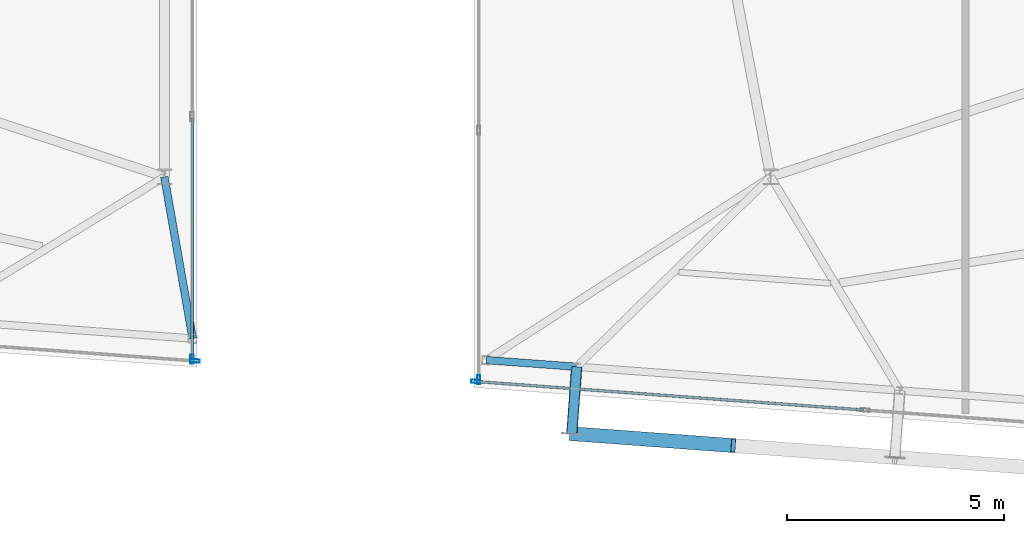
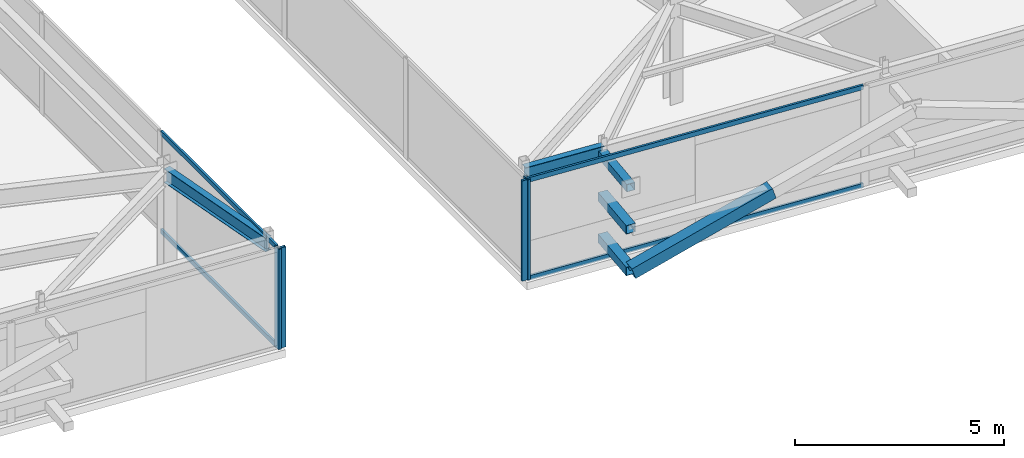
# One storey, part 11 of 39: 12 members, 2 beams, 4 elements without a shape of their own.
"""IFC4 building model written with IfcOpenShell, lengths in metres."""

from ifc_helpers import new_model, si_unit, direction, frame, origin, origin_2d, place, context, subcontext, project, spatial, hollow_rectangle, i_section, extrude, source, transform, mapped, material, layer, layer_set, material_profile, profile_set, type_object, element, aggregate, save


model = new_model("IFC4")

# Units and contexts
model_context = context("Model", 3, precision=1e-05, world=origin(), true_north=direction((0.0, 1.0)))
body_context = subcontext(model_context, "Body", "Model", "MODEL_VIEW")
ifc_project = project(units=[si_unit("LENGTHUNIT", "METRE"), si_unit("AREAUNIT", "SQUARE_METRE"), si_unit("VOLUMEUNIT", "CUBIC_METRE"), si_unit("PLANEANGLEUNIT", "RADIAN"), si_unit("MASSUNIT", "GRAM", prefix="KILO")], contexts=[model_context])

# Site, building, storey
site_placement = place(None, origin())
site = spatial("IfcSite", under=ifc_project, at=site_placement, CompositionType="ELEMENT")
building_placement = place(site_placement, origin())
building = spatial("IfcBuilding", under=site, at=building_placement, Name="Taldren Reach Tower", CompositionType="ELEMENT")
storey_placement = place(building_placement, frame((0.0, 0.0, 230.300048828125)))
storey = spatial("IfcBuildingStorey", under=building, at=storey_placement, Name="L70", CompositionType="ELEMENT", Elevation=230.300048828125)

# Members
ifc_material_1 = material(Name="Steel Gr 350 (C350L0)", Category="steel")
ifc_material_profile_1 = material_profile(ifc_material_1, hollow_rectangle(XDim=0.25, YDim=0.25, WallThickness=0.010009765625, at=origin_2d()), Name="250x250x10.0SHS")
ifc_profile_set_1 = profile_set([ifc_material_profile_1], Name="Steel Gr 350 (C350L0)")
member_type_1 = type_object("IfcMemberType", Name="MB-POST250", PredefinedType="POST", material=ifc_profile_set_1)
shared_shape_1 = source(origin(), body_context, "Body", "SweptSolid", [
    extrude(hollow_rectangle(XDim=0.25, YDim=0.25, WallThickness=0.010009765625, at=origin_2d()), origin(), (0.0, 0.0, 1.0), 1.550048828125),
])
for number, where, z_axis, x_axis, name in (
    (1, (37.5205078125, 4.81689453125, 0.219970703125), (-0.07323929162, -0.997314396849, 0.0), (0.997314396849, -0.07323929162, 0.0), "Exoskeleton base diaphragm tie strut B5-S4 L70"),
    (2, (37.5205078125, 4.81689453125, 1.43505859375), (-0.07323929162, -0.997314396849, 0.0), (0.997314396849, -0.07323929162, 0.0), "Exoskeleton mid-tier diaphragm tie B5-S4 L70"),
):
    element("IfcMember", number, at=place(storey_placement, frame(where, z_axis=z_axis, x_axis=x_axis)), inside=storey, type_object=member_type_1, Name=name, PredefinedType="POST", context=body_context, shape_type="MappedRepresentation", body=[
        mapped(shared_shape_1, transform((0.0, 0.0, 0.0), scale=1.0)),
    ])
ifc_material_2 = material(Name="Steel Gr 450 (C450L0)", Category="steel")
ifc_material_profile_2 = material_profile(ifc_material_2, hollow_rectangle(XDim=0.219970703125, YDim=0.219970703125, WallThickness=0.00830078125, at=origin_2d()), Name="220x220x8.2SHS")
ifc_profile_set_2 = profile_set([ifc_material_profile_2], Name="Steel Gr 450 (C450L0)")
member_type_2 = type_object("IfcMemberType", Name="MB-TIE219", PredefinedType="STRUT", material=ifc_profile_set_2)
shared_shape_2 = source(origin(), body_context, "Body", "SweptSolid", [
    extrude(hollow_rectangle(XDim=0.219970703125, YDim=0.219970703125, WallThickness=0.00830078125, at=origin_2d()), origin(), (0.0, 0.0, 1.0), 1.550048828125),
])
member_1_placement = place(storey_placement, frame((37.5205078125, 4.81689453125, 2.64990234375), z_axis=(-0.07323929162, -0.997314396849, 0.0), x_axis=(0.997314396849, -0.07323929162, 0.0)))
element("IfcMember", 3, at=member_1_placement, inside=storey, type_object=member_type_2, Name="Exoskeleton diaphragm tie strut B5-S4 L70", PredefinedType="STRUT", context=body_context, shape_type="MappedRepresentation", body=[
    mapped(shared_shape_2, transform((0.0, 0.0, 0.0), scale=1.0)),
])

# Beams
ifc_material_3 = material(Name="Steel Gr 350 (350PLUS)", Category="steel")
ifc_material_profile_3 = material_profile(ifc_material_3, i_section(OverallWidth=0.172119140625, OverallDepth=0.35888671875, WebThickness=0.008056640625, FlangeThickness=0.012939453125, at=origin_2d()), Name="360UB56.7")
ifc_profile_set_3 = profile_set([ifc_material_profile_3], Name="Steel Gr 350 (350PLUS)")
beam_type_1 = type_object("IfcBeamType", Name="SP-UB360", PredefinedType="SPANDREL", material=ifc_profile_set_3)
shared_shape_3 = source(origin(), body_context, "Body", "SweptSolid", [
    extrude(i_section(OverallWidth=0.172119140625, OverallDepth=0.35888671875, WebThickness=0.008056640625, FlangeThickness=0.012939453125, at=origin_2d()), origin(), (0.0, 0.0, 1.0), 2.090087890625),
])
beam_1_placement = place(storey_placement, frame((35.43603515625, 4.9697265625, 2.75048828125), z_axis=(0.997322930253, -0.073122997697, 0.0), x_axis=(0.073122997697, 0.997322930253, 0.0)))
element("IfcBeam", 4, at=beam_1_placement, inside=storey, type_object=beam_type_1, Name="Perimeter spandrel B5 PJ2-S4 L70", PredefinedType="SPANDREL", context=body_context, shape_type="MappedRepresentation", body=[
    mapped(shared_shape_3, transform((0.0, 0.0, 0.0), scale=1.0)),
])
ifc_material_profile_4 = material_profile(ifc_material_3, i_section(OverallWidth=0.177978515625, OverallDepth=0.406005859375, WebThickness=0.0078125, FlangeThickness=0.0126953125, at=origin_2d()), Name="410UB59.7")
ifc_profile_set_4 = profile_set([ifc_material_profile_4], Name="Steel Gr 350 (350PLUS)")
beam_type_2 = type_object("IfcBeamType", Name="BM-UB410", PredefinedType="BEAM", material=ifc_profile_set_4)
shared_shape_4 = source(origin(), body_context, "Body", "SweptSolid", [
    extrude(i_section(OverallWidth=0.177978515625, OverallDepth=0.406005859375, WebThickness=0.0078125, FlangeThickness=0.0126953125, at=origin_2d()), origin(), (0.0, 0.0, 1.0), 3.7890625),
])
beam_2_placement = place(storey_placement, frame((28.0, 9.199951171875, 2.72705078125), z_axis=(0.172678846321, -0.984978180486, 0.0), x_axis=(0.984978180486, 0.172678846321, 0.0)))
element("IfcBeam", 5, at=beam_2_placement, inside=storey, type_object=beam_type_2, Name="Primary floor girder B5-PJ1 L70", PredefinedType="BEAM", context=body_context, shape_type="MappedRepresentation", body=[
    mapped(shared_shape_4, transform((0.0, 0.0, 0.0), scale=1.0)),
])

# Member
ifc_material_profile_5 = material_profile(ifc_material_2, hollow_rectangle(XDim=0.324951171875, YDim=0.324951171875, WallThickness=0.0126953125, at=origin_2d()), Name="325x325x12.7SHS")
ifc_profile_set_5 = profile_set([ifc_material_profile_5], Name="Steel Gr 450 (C450L0)")
member_type_3 = type_object("IfcMemberType", Name="MB-BR324", PredefinedType="BRACE", material=ifc_profile_set_5)
shared_shape_5 = source(origin(), body_context, "Body", "SweptSolid", [
    extrude(hollow_rectangle(XDim=0.324951171875, YDim=0.324951171875, WallThickness=0.0126953125, at=origin_2d()), origin(), (0.0, 0.0, 1.0), 3.93212890625),
])
member_2_placement = place(storey_placement, frame((37.406982421875, 3.27099609375, 0.219970703125), z_axis=(0.94850490367, -0.069661746542, 0.309007586933), x_axis=(0.073246459555, 0.997313870435, 0.0)))
element("IfcMember", 6, at=member_2_placement, inside=storey, type_object=member_type_3, Name="Exoskeleton Diagrid Brace B5-S3 L70", PredefinedType="BRACE", context=body_context, shape_type="MappedRepresentation", body=[
    mapped(shared_shape_5, transform((0.0, 0.0, 0.0), scale=1.0)),
])

# Curtain wall, member
ifc_material_4 = material(Name="Aluminium and Low-E Glass Unitised System", Category="aluminium")
ifc_layer = layer(ifc_material_4, 0.159912109375)
ifc_layer_set = layer_set([ifc_layer], Name="Aluminium and Low-E Glass Unitised System")
curtain_wall_type = type_object("IfcCurtainWallType", Name="CW-SYS-7", PredefinedType="NOTDEFINED", material=ifc_layer_set)
curtain_wall_1_placement = place(storey_placement, origin())
curtain_wall_1 = element("IfcCurtainWall", 7, at=curtain_wall_1_placement, inside=storey, type_object=curtain_wall_type, Name="Unitised curtain wall CW-L70-SWING", PredefinedType="NOTDEFINED")
ifc_material_5 = material(Name="Anodised Aluminium 6063-T6", Category="aluminium")
ifc_material_profile_6 = material_profile(ifc_material_5, hollow_rectangle(XDim=0.074951171875, YDim=0.2099609375, WallThickness=0.00439453125, at=origin_2d()), Name="ALU-210x75x4.5RHS")
ifc_profile_set_6 = profile_set([ifc_material_profile_6], Name="Anodised Aluminium 6063-T6")
member_type_4 = type_object("IfcMemberType", Name="CW-MUL-200", PredefinedType="MULLION", material=ifc_profile_set_6)
shared_shape_6 = source(origin(), body_context, "Body", "SweptSolid", [
    extrude(hollow_rectangle(XDim=0.074951171875, YDim=0.2099609375, WallThickness=0.00439453125, at=origin_2d()), origin(), (0.0, 0.0, 1.0), 2.929931640625),
])
member_3_placement = place(storey_placement, frame((28.712646484375, 4.9521484375, 0.0), z_axis=(0.0, 0.0, 1.0), x_axis=(0.073238148285, 0.997314480811, 0.0)))
member_3 = element("IfcMember", 8, at=member_3_placement, type_object=member_type_4, Name="CW-7 mullion 3", PredefinedType="MULLION", context=body_context, shape_type="MappedRepresentation", body=[
    mapped(shared_shape_6, transform((0.0, 0.0, 0.0), scale=1.0)),
])
aggregate(curtain_wall_1, [member_3])

curtain_wall_2_placement = place(storey_placement, origin())
curtain_wall_2 = element("IfcCurtainWall", 9, at=curtain_wall_2_placement, inside=storey, type_object=curtain_wall_type, Name="Unitised curtain wall CW-L70-SEWING", PredefinedType="NOTDEFINED")
member_4_placement = place(storey_placement, frame((35.1875, 4.476806640625, 0.0), z_axis=(0.0, 0.0, 1.0), x_axis=(0.073238086301, 0.997314485363, 0.0)))
member_4 = element("IfcMember", 10, at=member_4_placement, type_object=member_type_4, Name="CW-7 mullion 1", PredefinedType="MULLION", context=body_context, shape_type="MappedRepresentation", body=[
    mapped(shared_shape_6, transform((0.0, 0.0, 0.0), scale=1.0)),
])

curtain_wall_3_placement = place(storey_placement, origin())
curtain_wall_3 = element("IfcCurtainWall", 11, at=curtain_wall_3_placement, inside=storey, type_object=curtain_wall_type, Name="Unitised curtain wall CW7-L70-PSW", PredefinedType="NOTDEFINED")
member_5_placement = place(storey_placement, frame((28.639892578125, 4.987060546875, 0.0), z_axis=(0.0, 0.0, 1.0), x_axis=(-1.0, 0.0, 0.0)))
member_5 = element("IfcMember", 12, at=member_5_placement, type_object=member_type_4, Name="CW-7 mullion 1", PredefinedType="MULLION", context=body_context, shape_type="MappedRepresentation", body=[
    mapped(shared_shape_6, transform((0.0, 0.0, 0.0), scale=1.0)),
])

curtain_wall_4_placement = place(storey_placement, origin())
curtain_wall_4 = element("IfcCurtainWall", 13, at=curtain_wall_4_placement, inside=storey, type_object=curtain_wall_type, Name="Unitised curtain wall CW7-L70-PSE", PredefinedType="NOTDEFINED")
member_6_placement = place(storey_placement, frame((35.260009765625, 4.51708984375, 0.0), z_axis=(0.0, 0.0, 1.0), x_axis=(1.0, 0.0, 0.0)))
member_6 = element("IfcMember", 14, at=member_6_placement, type_object=member_type_4, Name="CW-7 mullion 4", PredefinedType="MULLION", context=body_context, shape_type="MappedRepresentation", body=[
    mapped(shared_shape_6, transform((0.0, 0.0, 0.0), scale=1.0)),
])
aggregate(curtain_wall_4, [member_6])

# Member
ifc_material_profile_7 = material_profile(ifc_material_5, hollow_rectangle(XDim=0.06005859375, YDim=0.135009765625, WallThickness=0.00341796875, at=origin_2d()), Name="ALU-135x60x3.5RHS")
ifc_profile_set_7 = profile_set([ifc_material_profile_7], Name="Anodised Aluminium 6063-T6")
member_type_5 = type_object("IfcMemberType", Name="CW-TRN-150", PredefinedType="USERDEFINED", material=ifc_profile_set_7)
shared_shape_7 = source(origin(), body_context, "Body", "SweptSolid", [
    extrude(hollow_rectangle(XDim=0.06005859375, YDim=0.135009765625, WallThickness=0.00341796875, at=origin_2d()), origin(), (0.0, 0.0, 1.0), 8.93701171875),
])
member_7_placement = place(storey_placement, frame((35.224853515625, 4.473876953125, 0.030029296875), z_axis=(0.997314437185, -0.07323874236, 0.0), x_axis=(0.07323874236, 0.997314437185, 0.0)))
member_7 = element("IfcMember", 15, at=member_7_placement, type_object=member_type_5, Name="CW-7 transom 1.1", ObjectType="TRANSOM", PredefinedType="USERDEFINED", context=body_context, shape_type="MappedRepresentation", body=[
    mapped(shared_shape_7, transform((0.0, 0.0, 0.0), scale=1.0)),
])

member_8_placement = place(storey_placement, frame((35.224853515625, 4.473876953125, 2.89990234375), z_axis=(0.997314437185, -0.07323874236, 0.0), x_axis=(0.07323874236, 0.997314437185, 0.0)))
member_8 = element("IfcMember", 16, at=member_8_placement, type_object=member_type_5, Name="CW-7 transom 1.2", ObjectType="TRANSOM", PredefinedType="USERDEFINED", context=body_context, shape_type="MappedRepresentation", body=[
    mapped(shared_shape_7, transform((0.0, 0.0, 0.0), scale=1.0)),
])

aggregate(curtain_wall_2, [member_4, member_7, member_8])

shared_shape_8 = source(origin(), body_context, "Body", "SweptSolid", [
    extrude(hollow_rectangle(XDim=0.06005859375, YDim=0.135009765625, WallThickness=0.00341796875, at=origin_2d()), origin(), (0.0, 0.0, 1.0), 5.531005859375),
])
member_9_placement = place(storey_placement, frame((28.639892578125, 5.0244140625, 0.030029296875), z_axis=(0.0, 1.0, 0.0), x_axis=(-1.0, 0.0, 0.0)))
member_9 = element("IfcMember", 17, at=member_9_placement, type_object=member_type_5, Name="CW-7 transom 1.1", ObjectType="TRANSOM", PredefinedType="USERDEFINED", context=body_context, shape_type="MappedRepresentation", body=[
    mapped(shared_shape_8, transform((0.0, 0.0, 0.0), scale=1.0)),
])

member_10_placement = place(storey_placement, frame((28.639892578125, 5.0244140625, 2.89990234375), z_axis=(0.0, 1.0, 0.0), x_axis=(-1.0, 0.0, 0.0)))
member_10 = element("IfcMember", 18, at=member_10_placement, type_object=member_type_5, Name="CW-7 transom 1.2", ObjectType="TRANSOM", PredefinedType="USERDEFINED", context=body_context, shape_type="MappedRepresentation", body=[
    mapped(shared_shape_8, transform((0.0, 0.0, 0.0), scale=1.0)),
])

aggregate(curtain_wall_3, [member_5, member_9, member_10])

save(model, "model.ifc")
